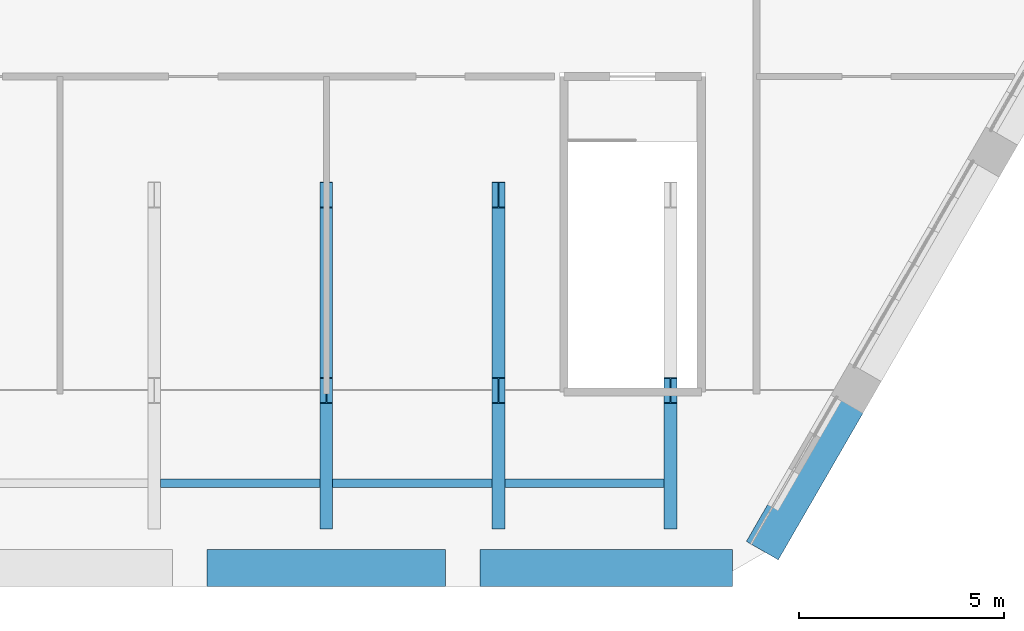
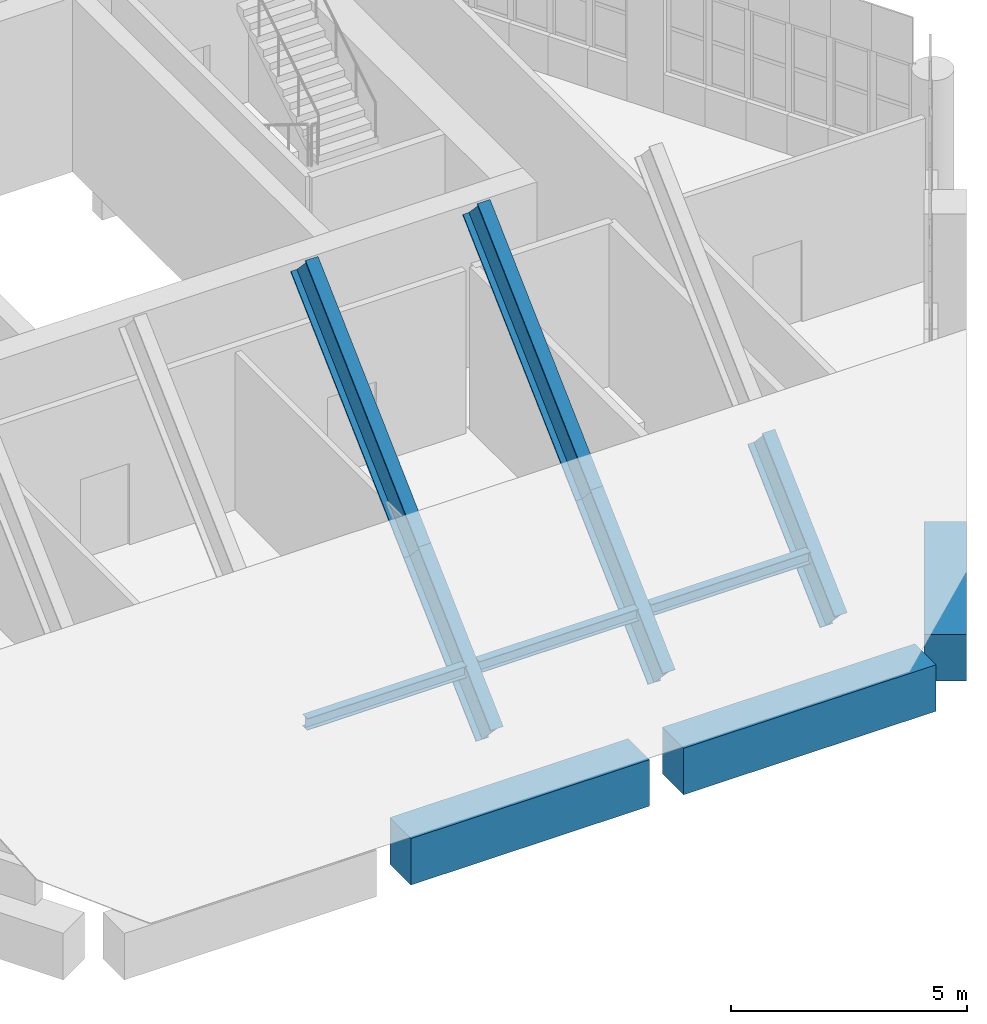
# One storey, part 5 of 25: 8 members, 3 beams.
"""IFC4 building model written with IfcOpenShell, lengths in metres."""

from ifc_helpers import new_model, si_unit, direction, frame, origin, origin_2d, place, context, subcontext, project, spatial, rectangle, i_section, extrude, material, material_profile, profile_set, type_object, element, save


model = new_model("IFC4")

# Units and contexts
model_context = context("Model", 3, precision=1e-05, world=origin(), true_north=direction((0.0, 1.0)))
body_context = subcontext(model_context, "Body", "Model", "MODEL_VIEW")
ifc_project = project(units=[si_unit("LENGTHUNIT", "METRE"), si_unit("AREAUNIT", "SQUARE_METRE"), si_unit("VOLUMEUNIT", "CUBIC_METRE"), si_unit("PLANEANGLEUNIT", "RADIAN"), si_unit("MASSUNIT", "GRAM", prefix="KILO")], contexts=[model_context])

# Site, building, storey
site_placement = place(None, origin())
site = spatial("IfcSite", under=ifc_project, at=site_placement, CompositionType="ELEMENT")
building_placement = place(site_placement, origin())
building = spatial("IfcBuilding", under=site, at=building_placement, Name="Ostrander Bayou Hotel Tower", CompositionType="ELEMENT")
storey_placement = place(building_placement, frame((0.0, 0.0, 275.0)))
storey = spatial("IfcBuildingStorey", under=building, at=storey_placement, Name="L68", CompositionType="ELEMENT", Elevation=275.0)

# Members
ifc_material_1 = material(Name="Steel ASTM A992", Category="steel")
ifc_material_profile_1 = material_profile(ifc_material_1, i_section(OverallWidth=0.203369140625, OverallDepth=0.30322265625, WebThickness=0.007568359375, FlangeThickness=0.01318359375, at=origin_2d()))
ifc_profile_set_1 = profile_set([ifc_material_profile_1], Name="Steel ASTM A992")
member_type_1 = type_object("IfcMemberType", Name="CP3 crown purlin W12x40", PredefinedType="PURLIN", material=ifc_profile_set_1)
for number, where, z_axis, x_axis, name in (
    (1, (-4.046142578125, -13.626953125, 1.875244140625), (1.0, 0.0, 0.0), (0.0, 1.0, 0.0), "CP3 P2-12"),
    (2, (0.15380859375, -13.626953125, 1.875244140625), (1.0, 0.0, 0.0), (0.0, 1.0, 0.0), "CP3 P3-23"),
):
    element("IfcMember", number, at=place(storey_placement, frame(where, z_axis=z_axis, x_axis=x_axis)), inside=storey, type_object=member_type_1, Name=name, PredefinedType="PURLIN", context=body_context, shape_type="SweptSolid", body=[
        extrude(i_section(OverallWidth=0.203369140625, OverallDepth=0.30322265625, WebThickness=0.007568359375, FlangeThickness=0.01318359375, at=origin_2d()), origin(), (0.0, 0.0, 1.0), 3.892333984375),
    ])
member_1_placement = place(storey_placement, frame((4.35400390625, -13.626953125, 1.875244140625), z_axis=(1.0, 0.0, 0.0), x_axis=(0.0, 1.0, 0.0)))
element("IfcMember", 3, at=member_1_placement, inside=storey, type_object=member_type_1, Name="CP3 P4-34", PredefinedType="PURLIN", context=body_context, shape_type="SweptSolid", body=[
    extrude(i_section(OverallWidth=0.203369140625, OverallDepth=0.30322265625, WebThickness=0.007568359375, FlangeThickness=0.01318359375, at=origin_2d()), origin(), (0.0, 0.0, 1.0), 3.89208984375),
])
ifc_material_2 = material(Name="Steel ASTM A992", Category="steel")
ifc_material_profile_2 = material_profile(ifc_material_2, i_section(OverallWidth=0.307861328125, OverallDepth=0.9267578125, WebThickness=0.01953125, FlangeThickness=0.031982421875, at=origin_2d()))
ifc_profile_set_2 = profile_set([ifc_material_profile_2], Name="Steel ASTM A992")
member_type_2 = type_object("IfcMemberType", Name="CR1 crown rafter W36x194", PredefinedType="RAFTER", material=ifc_profile_set_2)
member_2_placement = place(storey_placement, frame((0.0, -14.427001953125, 0.63671875), z_axis=(0.0, 0.727952792033, 0.685627254834), x_axis=(-1.0, 0.0, 0.0)))
element("IfcMember", 4, at=member_2_placement, inside=storey, type_object=member_type_2, Name="CR1 R3-1", PredefinedType="RAFTER", context=body_context, shape_type="SweptSolid", body=[
    extrude(i_section(OverallWidth=0.307861328125, OverallDepth=0.9267578125, WebThickness=0.01953125, FlangeThickness=0.031982421875, at=origin_2d()), origin(), (0.0, 0.0, 1.0), 4.205078125),
])
member_3_placement = place(storey_placement, frame((0.0, -11.365966796875, 3.519775390625), z_axis=(0.0, 0.727935686227, 0.685645416172), x_axis=(-1.0, 0.0, 0.0)))
element("IfcMember", 5, at=member_3_placement, inside=storey, type_object=member_type_2, Name="CR1 R3-2", PredefinedType="RAFTER", context=body_context, shape_type="SweptSolid", body=[
    extrude(i_section(OverallWidth=0.307861328125, OverallDepth=0.9267578125, WebThickness=0.01953125, FlangeThickness=0.031982421875, at=origin_2d()), origin(), (0.0, 0.0, 1.0), 6.56396484375),
])
member_4_placement = place(storey_placement, frame((4.199951171875, -14.427001953125, 0.63671875), z_axis=(0.0, 0.727952792033, 0.685627254834), x_axis=(-1.0, 0.0, 0.0)))
element("IfcMember", 6, at=member_4_placement, inside=storey, type_object=member_type_2, Name="CR1 R4-1", PredefinedType="RAFTER", context=body_context, shape_type="SweptSolid", body=[
    extrude(i_section(OverallWidth=0.307861328125, OverallDepth=0.9267578125, WebThickness=0.01953125, FlangeThickness=0.031982421875, at=origin_2d()), origin(), (0.0, 0.0, 1.0), 4.205078125),
])
member_5_placement = place(storey_placement, frame((4.199951171875, -11.365966796875, 3.519775390625), z_axis=(0.0, 0.727935686227, 0.685645416172), x_axis=(-1.0, 0.0, 0.0)))
element("IfcMember", 7, at=member_5_placement, inside=storey, type_object=member_type_2, Name="CR1 R4-2", PredefinedType="RAFTER", context=body_context, shape_type="SweptSolid", body=[
    extrude(i_section(OverallWidth=0.307861328125, OverallDepth=0.9267578125, WebThickness=0.01953125, FlangeThickness=0.031982421875, at=origin_2d()), origin(), (0.0, 0.0, 1.0), 6.56396484375),
])
member_6_placement = place(storey_placement, frame((8.39990234375, -14.427001953125, 0.63671875), z_axis=(0.0, 0.727952792033, 0.685627254834), x_axis=(-1.0, 0.0, 0.0)))
element("IfcMember", 8, at=member_6_placement, inside=storey, type_object=member_type_2, Name="CR1 R5-1", PredefinedType="RAFTER", context=body_context, shape_type="SweptSolid", body=[
    extrude(i_section(OverallWidth=0.307861328125, OverallDepth=0.9267578125, WebThickness=0.01953125, FlangeThickness=0.031982421875, at=origin_2d()), origin(), (0.0, 0.0, 1.0), 4.205078125),
])

# Beams
ifc_material_3 = material(Name="Concrete f'c 60 MPa", Category="concrete")
ifc_material_profile_3 = material_profile(ifc_material_3, rectangle(XDim=0.89990234375, YDim=1.199951171875, at=origin_2d()))
ifc_profile_set_3 = profile_set([ifc_material_profile_3], Name="Concrete f'c 60 MPa")
beam_type = type_object("IfcBeamType", Name="SP4 spandrel beam 900 x 1200 mm f'c 60 MPa", PredefinedType="SPANDREL", material=ifc_profile_set_3)
beam_1_placement = place(storey_placement, frame((-2.909423828125, -15.693603515625, -0.60009765625), z_axis=(1.0, 0.0, 0.0), x_axis=(0.0, 1.0, 0.0)))
element("IfcBeam", 9, at=beam_1_placement, inside=storey, type_object=beam_type, Name="SP4 L68 S-2", PredefinedType="SPANDREL", context=body_context, shape_type="SweptSolid", body=[
    extrude(rectangle(XDim=0.89990234375, YDim=1.199951171875, at=origin_2d()), origin(), (0.0, 0.0, 1.0), 5.81884765625),
])
beam_2_placement = place(storey_placement, frame((3.74951171875, -15.693603515625, -0.60009765625), z_axis=(1.0, 0.0, 0.0), x_axis=(0.0, 1.0, 0.0)))
element("IfcBeam", 10, at=beam_2_placement, inside=storey, type_object=beam_type, Name="SP4 L68 S-3", PredefinedType="SPANDREL", context=body_context, shape_type="SweptSolid", body=[
    extrude(rectangle(XDim=0.89990234375, YDim=1.199951171875, at=origin_2d()), origin(), (0.0, 0.0, 1.0), 6.1591796875),
])
beam_3_placement = place(storey_placement, frame((10.6396484375, -15.271484375, -0.60009765625), z_axis=(0.50000550616, 0.866022224778, 0.0), x_axis=(-0.866022224778, 0.50000550616, 0.0)))
element("IfcBeam", 11, at=beam_3_placement, inside=storey, type_object=beam_type, Name="SP4 L68 SE-1", PredefinedType="SPANDREL", context=body_context, shape_type="SweptSolid", body=[
    extrude(rectangle(XDim=0.89990234375, YDim=1.199951171875, at=origin_2d()), origin(), (0.0, 0.0, 1.0), 4.15625),
])

save(model, "model.ifc")
